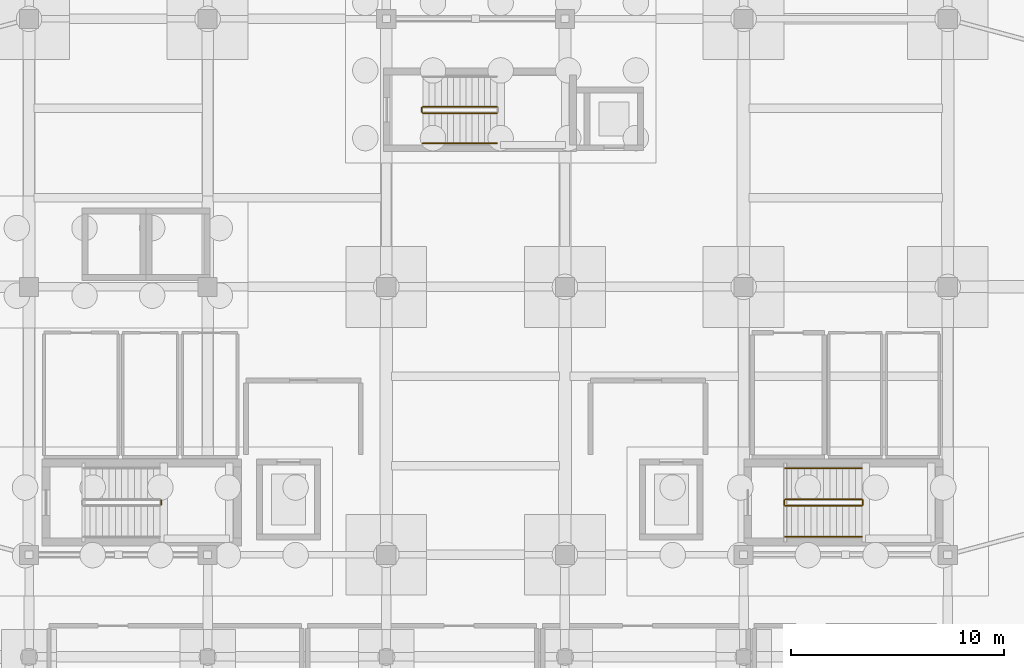
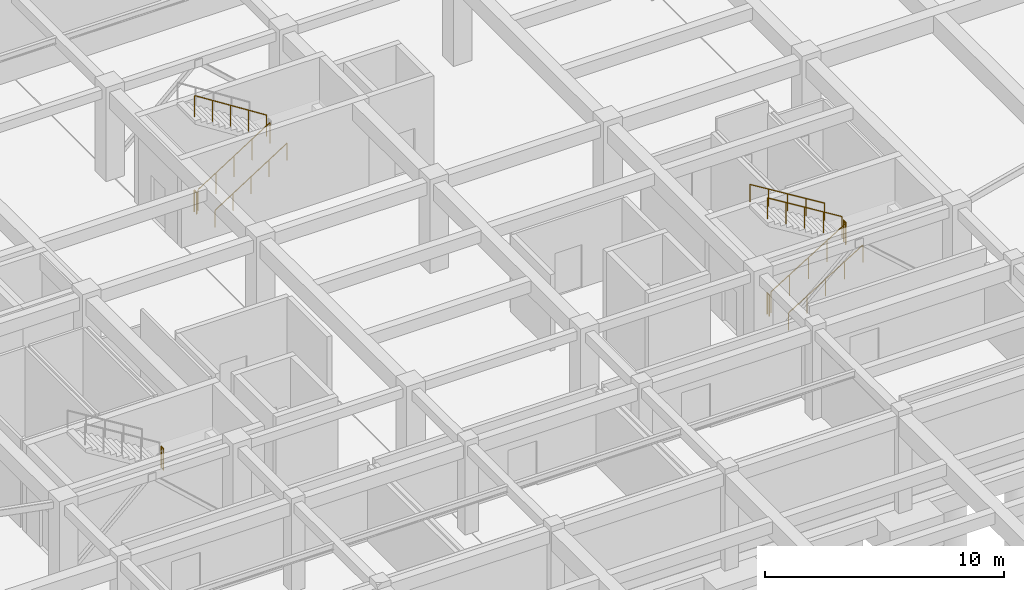
# One storey, part 34 of 37: 11 railings.
"""IFC4 building model written with IfcOpenShell, lengths in metres."""

import ifcopenshell
import ifcopenshell.guid

model = None  # the IFC model being written
_history = None  # IfcOwnerHistory: only IFC2X3 demands one
_inside = {}  # id of a spatial element -> (the spatial element, [elements in it])
_under = {}  # id of a project, library or spatial element -> (it, [spatial elements below it])
_declared = {}  # id of a project -> (the project, [libraries it declares])
_typed = {}  # id of a type object -> (the type object, [elements of that type])
_made_of = {}  # id of a material, layer set ... -> (it, [elements and type objects made of it])


def new_model(schema):
    """Start an empty IFC model of exactly this schema.

    Asked for "IFC4X3", IfcOpenShell would pick the latest addendum, in which some entities
    have other attributes; the version numbers below select the first issue.
    IFC2X3 requires an IfcOwnerHistory on every rooted entity: one is made here for all.
    """
    global model, _history
    if schema == "IFC4X3":
        model = ifcopenshell.file(schema_version=(4, 3, 0, 0))
    else:
        model = ifcopenshell.file(schema=schema)
    _inside.clear()
    _under.clear()
    _declared.clear()
    _typed.clear()
    _made_of.clear()
    _history = None
    if model.schema == "IFC2X3":
        org = make("IfcOrganization", Name="unknown")
        user = make(
            "IfcPersonAndOrganization",
            ThePerson=make("IfcPerson", FamilyName="unknown"),
            TheOrganization=org,
        )
        app = make(
            "IfcApplication",
            ApplicationDeveloper=org,
            Version="unknown",
            ApplicationFullName="unknown",
            ApplicationIdentifier="unknown",
        )
        _history = make(
            "IfcOwnerHistory",
            OwningUser=user,
            OwningApplication=app,
            ChangeAction="ADDED",
            CreationDate=0,
        )
    return model


def make(cls, **values):
    """One entity of the class cls with the attributes given. An attribute that is None is left unset."""
    return model.create_entity(
        cls, **{name: value for name, value in values.items() if value is not None}
    )


def rooted(cls, **values):
    """An entity with a GlobalId (a new one), such as an element, a storey or a relation."""
    return make(cls, GlobalId=ifcopenshell.guid.new(), OwnerHistory=_history, **values)


def si_unit(unit_type, name, prefix=None):
    """IfcSIUnit, for example si_unit("LENGTHUNIT", "METRE", prefix="MILLI")."""
    return make("IfcSIUnit", UnitType=unit_type, Prefix=prefix, Name=name)


def assignment(units):
    """IfcUnitAssignment: the units of a project."""
    return None if units is None else make("IfcUnitAssignment", Units=units)


def point(xyz):
    """IfcCartesianPoint."""
    return None if xyz is None else make("IfcCartesianPoint", Coordinates=xyz)


def direction(xyz):
    """IfcDirection."""
    return None if xyz is None else make("IfcDirection", DirectionRatios=xyz)


def frame(location, z_axis=None, x_axis=None):
    """IfcAxis2Placement3D, a coordinate frame: its origin and axes. An axis left out is left unset."""
    return make(
        "IfcAxis2Placement3D",
        Location=point(location),
        Axis=direction(z_axis),
        RefDirection=direction(x_axis),
    )


def frame_2d(location, x_axis=None):
    """IfcAxis2Placement2D, a coordinate frame in the plane: its origin and x axis."""
    return make(
        "IfcAxis2Placement2D", Location=point(location), RefDirection=direction(x_axis)
    )


def origin():
    """The frame at (0, 0, 0) with its axes left unset."""
    return frame((0.0, 0.0, 0.0))


def origin_2d():
    """The frame at (0, 0) in the plane with its x axis left unset."""
    return frame_2d((0.0, 0.0))


def place(relative_to, where):
    """IfcLocalPlacement: puts the frame where relative to a parent placement (None: the world)."""
    return make(
        "IfcLocalPlacement", PlacementRelTo=relative_to, RelativePlacement=where
    )


def context(
    kind, dimensions, precision=None, world=None, true_north=None, identifier=None
):
    """IfcGeometricRepresentationContext, for example the 3D "Model" context."""
    return make(
        "IfcGeometricRepresentationContext",
        ContextIdentifier=identifier,
        ContextType=kind,
        CoordinateSpaceDimension=dimensions,
        Precision=precision,
        WorldCoordinateSystem=world,
        TrueNorth=true_north,
    )


def subcontext(parent, identifier, kind, view, scale=None):
    """IfcGeometricRepresentationSubContext, for example "Body" below "Model"."""
    return make(
        "IfcGeometricRepresentationSubContext",
        ContextIdentifier=identifier,
        ContextType=kind,
        ParentContext=parent,
        TargetScale=scale,
        TargetView=view,
    )


def project(units=None, contexts=None):
    """IfcProject with its units and contexts."""
    return rooted(
        "IfcProject",
        Name="project",
        RepresentationContexts=contexts,
        UnitsInContext=assignment(units),
    )


def spatial(cls, under=None, at=None, **own):
    """A site, building, storey or space (cls), placed at a placement, below another one or the project."""
    s = rooted(cls, ObjectPlacement=at, **own)
    if under is not None:
        _under.setdefault(under.id(), (under, []))[1].append(s)
    return s


def profile(cls, at=None, kind="AREA", **sizes):
    """A parametric profile (cls). Its sizes go by their IFC names, for example OverallWidth=200.0."""
    return make(cls, ProfileType=kind, Position=at, **sizes)


def circle(**sizes):
    """IfcCircleProfileDef."""
    return profile("IfcCircleProfileDef", **sizes)


def extrude(swept, where, along, depth):
    """IfcExtrudedAreaSolid: the profile swept, set in the frame where, extruded along a direction by depth."""
    return make(
        "IfcExtrudedAreaSolid",
        SweptArea=swept,
        Position=where,
        ExtrudedDirection=direction(along),
        Depth=depth,
    )


def shape(context_of_items, identifier, shape_type, items):
    """IfcShapeRepresentation: the items that make up one representation, for example the "Body"."""
    return make(
        "IfcShapeRepresentation",
        ContextOfItems=context_of_items,
        RepresentationIdentifier=identifier,
        RepresentationType=shape_type,
        Items=items,
    )


def material(Name=None, Category=None):
    """IfcMaterial."""
    return make("IfcMaterial", Name=Name, Category=Category)


def made_of(thing, what):
    """Note that an element or type object is made of a material, layer set ...; save() writes the relation."""
    if what is not None:
        _made_of.setdefault(what.id(), (what, []))[1].append(thing)
    return thing


def type_object(cls, material=None, **own):
    """A type object (cls), such as IfcWallType, which elements share."""
    return made_of(rooted(cls, **own), material)


def element(
    cls,
    number,
    at=None,
    inside=None,
    cuts=None,
    type_object=None,
    material=None,
    context=None,
    identifier="Body",
    shape_type=None,
    held_by="IfcProductDefinitionShape",
    body=None,
    shapes=None,
    **own,
):
    """One element of the class cls, such as IfcWall. Its Tag is "e" and its number.

    at: its placement. inside: the storey or other place that contains it. cuts: it is an
    opening in that element (IfcRelVoidsElement). A single representation is given by context,
    identifier, shape_type and body (its items); several are given by shapes. held_by: the class
    of the entity that holds the representations. save() writes the other relations.
    """
    e = rooted(cls, Tag="e%d" % number, ObjectPlacement=at, **own)
    if body is not None:
        shapes = [shape(context, identifier, shape_type, body)]
    if shapes is not None:
        e.Representation = make(held_by, Representations=shapes)
    if inside is not None:
        _inside.setdefault(inside.id(), (inside, []))[1].append(e)
    if cuts is not None:
        rooted(
            "IfcRelVoidsElement", RelatingBuildingElement=cuts, RelatedOpeningElement=e
        )
    if type_object is not None:
        _typed.setdefault(type_object.id(), (type_object, []))[1].append(e)
    return made_of(e, material)


def aggregate(whole, parts):
    """IfcRelAggregates: a whole, such as a stair, and the parts it consists of."""
    return rooted("IfcRelAggregates", RelatingObject=whole, RelatedObjects=parts)


def save(model, path):
    """Write the relations noted so far, then the file.

    IfcRelAggregates (storeys below a building ...), IfcRelContainedInSpatialStructure (elements
    in a storey), IfcRelDefinesByType, IfcRelAssociatesMaterial and IfcRelDeclares: one each for
    every whole, place, type object, material and project.
    """
    for whole, parts in _under.values():
        aggregate(whole, parts)
    for where, things in _inside.values():
        rooted(
            "IfcRelContainedInSpatialStructure",
            RelatedElements=things,
            RelatingStructure=where,
        )
    for kind, things in _typed.values():
        rooted("IfcRelDefinesByType", RelatedObjects=things, RelatingType=kind)
    for what, things in _made_of.values():
        rooted("IfcRelAssociatesMaterial", RelatedObjects=things, RelatingMaterial=what)
    for by, libraries in _declared.values():
        rooted("IfcRelDeclares", RelatingContext=by, RelatedDefinitions=libraries)
    model.write(path)


model = new_model("IFC4")

# Units and contexts
model_context = context("Model", 3, precision=1e-05, world=origin(), true_north=direction((0.0, 1.0)))
body_context = subcontext(model_context, "Body", "Model", "MODEL_VIEW")
ifc_project = project(units=[si_unit("LENGTHUNIT", "METRE"), si_unit("AREAUNIT", "SQUARE_METRE"), si_unit("VOLUMEUNIT", "CUBIC_METRE"), si_unit("PLANEANGLEUNIT", "RADIAN"), si_unit("MASSUNIT", "GRAM", prefix="KILO")], contexts=[model_context])

# Site, building, storey
site_placement = place(None, origin())
site = spatial("IfcSite", under=ifc_project, at=site_placement, CompositionType="ELEMENT")
building_placement = place(site_placement, origin())
building = spatial("IfcBuilding", under=site, at=building_placement, Name="Tarnavel Promenade Courthouse", CompositionType="ELEMENT")
storey_placement = place(building_placement, frame((0.0, 0.0, -4.800048828125)))
storey = spatial("IfcBuildingStorey", under=building, at=storey_placement, Name="B01", CompositionType="ELEMENT", Elevation=-4.800048828125)

# Railings
ifc_material_1 = material(Name="Brushed Bronze Tubular Stair Handrail")
railing_type_1 = type_object("IfcRailingType", Name="Brushed Bronze Tubular Stair Handrail (RL-HND-0900)", PredefinedType="HANDRAIL", material=ifc_material_1)
railing_1_placement = place(storey_placement, frame((94.360107421875, 80.050048828125, 0.1845703125)))
element("IfcRailing", 1, at=railing_1_placement, inside=storey, type_object=railing_type_1, Name="B01 ST-02 stair handrail 1", PredefinedType="HANDRAIL", context=body_context, shape_type="SweptSolid", body=[
    extrude(circle(Radius=0.02392578125, at=origin_2d()), frame((0.0, 0.0, 0.8759765625), z_axis=(0.851628569182, 0.0, 0.524145762315), x_axis=(0.0, 1.0, 0.0)), (0.0, 0.0, 1.0), 4.22705078125),
    extrude(circle(Radius=0.02099609375, at=origin_2d()), origin(), (0.0, 0.0, 1.0), 0.851806640625),
    extrude(circle(Radius=0.02099609375, at=origin_2d()), frame((0.89990234375, 0.0, 0.553955078125)), (0.0, 0.0, 1.0), 0.851806640625),
    extrude(circle(Radius=0.02099609375, at=origin_2d()), frame((1.7998046875, 0.0, 1.10791015625)), (0.0, 0.0, 1.0), 0.851806640625),
    extrude(circle(Radius=0.02099609375, at=origin_2d()), frame((2.699951171875, 0.0, 1.66162109375)), (0.0, 0.0, 1.0), 0.851806640625),
    extrude(circle(Radius=0.02099609375, at=origin_2d()), frame((3.599853515625, 0.0, 2.215576171875)), (0.0, 0.0, 1.0), 0.851806640625),
])
railing_2_placement = place(storey_placement, frame((97.9599609375, 83.27001953125, 2.584716796875)))
element("IfcRailing", 2, at=railing_2_placement, inside=storey, type_object=railing_type_1, Name="B01 ST-02 stair handrail 2", PredefinedType="HANDRAIL", context=body_context, shape_type="SweptSolid", body=[
    extrude(circle(Radius=0.02392578125, at=origin_2d()), frame((0.0, 0.0, 0.8759765625), z_axis=(-0.851654350407, 0.0, 0.524103870844), x_axis=(0.0, -1.0, 0.0)), (0.0, 0.0, 1.0), 4.226806640625),
    extrude(circle(Radius=0.02099609375, at=origin_2d()), origin(), (0.0, 0.0, 1.0), 0.851806640625),
    extrude(circle(Radius=0.02099609375, at=origin_2d()), frame((-0.89990234375, 0.0, 0.5537109375)), (0.0, 0.0, 1.0), 0.851806640625),
    extrude(circle(Radius=0.02099609375, at=origin_2d()), frame((-1.7998046875, 0.0, 1.107666015625)), (0.0, 0.0, 1.0), 0.851806640625),
    extrude(circle(Radius=0.02099609375, at=origin_2d()), frame((-2.699951171875, 0.0, 1.66162109375)), (0.0, 0.0, 1.0), 0.851806640625),
    extrude(circle(Radius=0.02099609375, at=origin_2d()), frame((-3.599853515625, 0.0, 2.21533203125)), (0.0, 0.0, 1.0), 0.851806640625),
])
railing_3_placement = place(storey_placement, frame((77.320068359375, 98.550048828125, 0.1845703125)))
element("IfcRailing", 3, at=railing_3_placement, inside=storey, type_object=railing_type_1, Name="B01 ST-03 stair handrail 1", PredefinedType="HANDRAIL", context=body_context, shape_type="SweptSolid", body=[
    extrude(circle(Radius=0.02392578125, at=origin_2d()), frame((0.0, 0.0, 0.8759765625), z_axis=(0.843546938479, 0.0, 0.53705545578), x_axis=(0.0, 1.0, 0.0)), (0.0, 0.0, 1.0), 4.12548828125),
    extrude(circle(Radius=0.02099609375, at=origin_2d()), origin(), (0.0, 0.0, 1.0), 0.851806640625),
    extrude(circle(Radius=0.02099609375, at=origin_2d()), frame((0.8701171875, 0.0, 0.553955078125)), (0.0, 0.0, 1.0), 0.851806640625),
    extrude(circle(Radius=0.02099609375, at=origin_2d()), frame((1.739990234375, 0.0, 1.10791015625)), (0.0, 0.0, 1.0), 0.851806640625),
    extrude(circle(Radius=0.02099609375, at=origin_2d()), frame((2.60986328125, 0.0, 1.66162109375)), (0.0, 0.0, 1.0), 0.851806640625),
    extrude(circle(Radius=0.02099609375, at=origin_2d()), frame((3.47998046875, 0.0, 2.215576171875)), (0.0, 0.0, 1.0), 0.851806640625),
])
ifc_material_2 = material(Name="Painted Architectural Steel Core Stair Guardrail", Category="steel")
railing_type_2 = type_object("IfcRailingType", Name="Painted Architectural Steel Core Stair Guardrail (RL-GRD-1100)", PredefinedType="GUARDRAIL", material=ifc_material_2)
railing_4_placement = place(storey_placement, frame((65.010009765625, 81.56005859375, 2.400146484375)))
element("IfcRailing", 4, at=railing_4_placement, inside=storey, type_object=railing_type_2, Name="B01 ST-01 stair guard 2", PredefinedType="GUARDRAIL", context=body_context, shape_type="SweptSolid", body=[
    extrude(circle(Radius=0.02392578125, at=origin_2d()), frame((0.0, 0.0, 1.076171875), z_axis=(0.0, 1.0, 0.0), x_axis=(-1.0, 0.0, 0.0)), (0.0, 0.0, 1.0), 0.199951171875),
    extrude(circle(Radius=0.02099609375, at=origin_2d()), origin(), (0.0, 0.0, 1.0), 1.052001953125),
    extrude(circle(Radius=0.02099609375, at=origin_2d()), frame((0.0, 0.199951171875, 0.0)), (0.0, 0.0, 1.0), 1.052001953125),
])
railing_5_placement = place(storey_placement, frame((94.360107421875, 81.510009765625, 0.1845703125)))
element("IfcRailing", 5, at=railing_5_placement, inside=storey, type_object=railing_type_2, Name="B01 ST-02 stair guard 1", PredefinedType="GUARDRAIL", context=body_context, shape_type="SweptSolid", body=[
    extrude(circle(Radius=0.02392578125, at=origin_2d()), frame((0.0, 0.0, 1.076171875), z_axis=(0.851628569182, 0.0, 0.524145762315), x_axis=(0.0, 1.0, 0.0)), (0.0, 0.0, 1.0), 4.22705078125),
    extrude(circle(Radius=0.02099609375, at=origin_2d()), origin(), (0.0, 0.0, 1.0), 1.052001953125),
    extrude(circle(Radius=0.02099609375, at=origin_2d()), frame((0.89990234375, 0.0, 0.553955078125)), (0.0, 0.0, 1.0), 1.052001953125),
    extrude(circle(Radius=0.02099609375, at=origin_2d()), frame((1.7998046875, 0.0, 1.10791015625)), (0.0, 0.0, 1.0), 1.052001953125),
    extrude(circle(Radius=0.02099609375, at=origin_2d()), frame((2.699951171875, 0.0, 1.66162109375)), (0.0, 0.0, 1.0), 1.052001953125),
    extrude(circle(Radius=0.02099609375, at=origin_2d()), frame((3.599853515625, 0.0, 2.215576171875)), (0.0, 0.0, 1.0), 1.052001953125),
])
railing_6_placement = place(storey_placement, frame((98.010009765625, 81.56005859375, 2.400146484375)))
element("IfcRailing", 6, at=railing_6_placement, inside=storey, type_object=railing_type_2, Name="B01 ST-02 stair guard 2", PredefinedType="GUARDRAIL", context=body_context, shape_type="SweptSolid", body=[
    extrude(circle(Radius=0.02392578125, at=origin_2d()), frame((0.0, 0.0, 1.076171875), z_axis=(0.0, 1.0, 0.0), x_axis=(-1.0, 0.0, 0.0)), (0.0, 0.0, 1.0), 0.199951171875),
    extrude(circle(Radius=0.02099609375, at=origin_2d()), origin(), (0.0, 0.0, 1.0), 1.052001953125),
    extrude(circle(Radius=0.02099609375, at=origin_2d()), frame((0.0, 0.199951171875, 0.0)), (0.0, 0.0, 1.0), 1.052001953125),
])
railing_7_placement = place(storey_placement, frame((97.9599609375, 81.81005859375, 2.584716796875)))
element("IfcRailing", 7, at=railing_7_placement, inside=storey, type_object=railing_type_2, Name="B01 ST-02 stair guard 3", PredefinedType="GUARDRAIL", context=body_context, shape_type="SweptSolid", body=[
    extrude(circle(Radius=0.02392578125, at=origin_2d()), frame((0.0, 0.0, 1.076171875), z_axis=(-0.851654350407, 0.0, 0.524103870844), x_axis=(0.0, -1.0, 0.0)), (0.0, 0.0, 1.0), 4.226806640625),
    extrude(circle(Radius=0.02099609375, at=origin_2d()), origin(), (0.0, 0.0, 1.0), 1.052001953125),
    extrude(circle(Radius=0.02099609375, at=origin_2d()), frame((-0.89990234375, 0.0, 0.5537109375)), (0.0, 0.0, 1.0), 1.052001953125),
    extrude(circle(Radius=0.02099609375, at=origin_2d()), frame((-1.7998046875, 0.0, 1.107666015625)), (0.0, 0.0, 1.0), 1.052001953125),
    extrude(circle(Radius=0.02099609375, at=origin_2d()), frame((-2.699951171875, 0.0, 1.66162109375)), (0.0, 0.0, 1.0), 1.052001953125),
    extrude(circle(Radius=0.02099609375, at=origin_2d()), frame((-3.599853515625, 0.0, 2.21533203125)), (0.0, 0.0, 1.0), 1.052001953125),
])
railing_8_placement = place(storey_placement, frame((94.31005859375, 81.56005859375, 0.0)))
element("IfcRailing", 8, at=railing_8_placement, inside=storey, type_object=railing_type_2, Name="B01 ST-02 stair guard 4", PredefinedType="GUARDRAIL", context=body_context, shape_type="SweptSolid", body=[
    extrude(circle(Radius=0.02392578125, at=origin_2d()), frame((0.0, 0.0, 1.076171875), z_axis=(0.0, 1.0, 0.0), x_axis=(-1.0, 0.0, 0.0)), (0.0, 0.0, 1.0), 0.199951171875),
    extrude(circle(Radius=0.02099609375, at=origin_2d()), origin(), (0.0, 0.0, 1.0), 1.052001953125),
    extrude(circle(Radius=0.02099609375, at=origin_2d()), frame((0.0, 0.199951171875, 0.0)), (0.0, 0.0, 1.0), 1.052001953125),
])
railing_9_placement = place(storey_placement, frame((77.320068359375, 99.969970703125, 0.1845703125)))
element("IfcRailing", 9, at=railing_9_placement, inside=storey, type_object=railing_type_2, Name="B01 ST-03 stair guard 1", PredefinedType="GUARDRAIL", context=body_context, shape_type="SweptSolid", body=[
    extrude(circle(Radius=0.02392578125, at=origin_2d()), frame((0.0, 0.0, 1.076171875), z_axis=(0.843546938479, 0.0, 0.53705545578), x_axis=(0.0, 1.0, 0.0)), (0.0, 0.0, 1.0), 4.12548828125),
    extrude(circle(Radius=0.02099609375, at=origin_2d()), origin(), (0.0, 0.0, 1.0), 1.052001953125),
    extrude(circle(Radius=0.02099609375, at=origin_2d()), frame((0.8701171875, 0.0, 0.553955078125)), (0.0, 0.0, 1.0), 1.052001953125),
    extrude(circle(Radius=0.02099609375, at=origin_2d()), frame((1.739990234375, 0.0, 1.10791015625)), (0.0, 0.0, 1.0), 1.052001953125),
    extrude(circle(Radius=0.02099609375, at=origin_2d()), frame((2.60986328125, 0.0, 1.66162109375)), (0.0, 0.0, 1.0), 1.052001953125),
    extrude(circle(Radius=0.02099609375, at=origin_2d()), frame((3.47998046875, 0.0, 2.215576171875)), (0.0, 0.0, 1.0), 1.052001953125),
])
railing_10_placement = place(storey_placement, frame((80.800048828125, 100.27001953125, 2.584716796875)))
element("IfcRailing", 10, at=railing_10_placement, inside=storey, type_object=railing_type_2, Name="B01 ST-03 stair guard 3", PredefinedType="GUARDRAIL", context=body_context, shape_type="SweptSolid", body=[
    extrude(circle(Radius=0.02392578125, at=origin_2d()), frame((0.0, 0.0, 1.076171875), z_axis=(-0.843573748531, 0.0, 0.537013343214), x_axis=(0.0, -1.0, 0.0)), (0.0, 0.0, 1.0), 4.125244140625),
    extrude(circle(Radius=0.02099609375, at=origin_2d()), origin(), (0.0, 0.0, 1.0), 1.052001953125),
    extrude(circle(Radius=0.02099609375, at=origin_2d()), frame((-0.8701171875, 0.0, 0.5537109375)), (0.0, 0.0, 1.0), 1.052001953125),
    extrude(circle(Radius=0.02099609375, at=origin_2d()), frame((-1.739990234375, 0.0, 1.107666015625)), (0.0, 0.0, 1.0), 1.052001953125),
    extrude(circle(Radius=0.02099609375, at=origin_2d()), frame((-2.60986328125, 0.0, 1.66162109375)), (0.0, 0.0, 1.0), 1.052001953125),
    extrude(circle(Radius=0.02099609375, at=origin_2d()), frame((-3.47998046875, 0.0, 2.21533203125)), (0.0, 0.0, 1.0), 1.052001953125),
])
railing_11_placement = place(storey_placement, frame((77.27001953125, 100.02001953125, 0.0)))
element("IfcRailing", 11, at=railing_11_placement, inside=storey, type_object=railing_type_2, Name="B01 ST-03 stair guard 4", PredefinedType="GUARDRAIL", context=body_context, shape_type="SweptSolid", body=[
    extrude(circle(Radius=0.02392578125, at=origin_2d()), frame((0.0, 0.0, 1.076171875), z_axis=(0.0, 1.0, 0.0), x_axis=(-1.0, 0.0, 0.0)), (0.0, 0.0, 1.0), 0.199951171875),
    extrude(circle(Radius=0.02099609375, at=origin_2d()), origin(), (0.0, 0.0, 1.0), 1.052001953125),
    extrude(circle(Radius=0.02099609375, at=origin_2d()), frame((0.0, 0.199951171875, 0.0)), (0.0, 0.0, 1.0), 1.052001953125),
])

save(model, "model.ifc")
